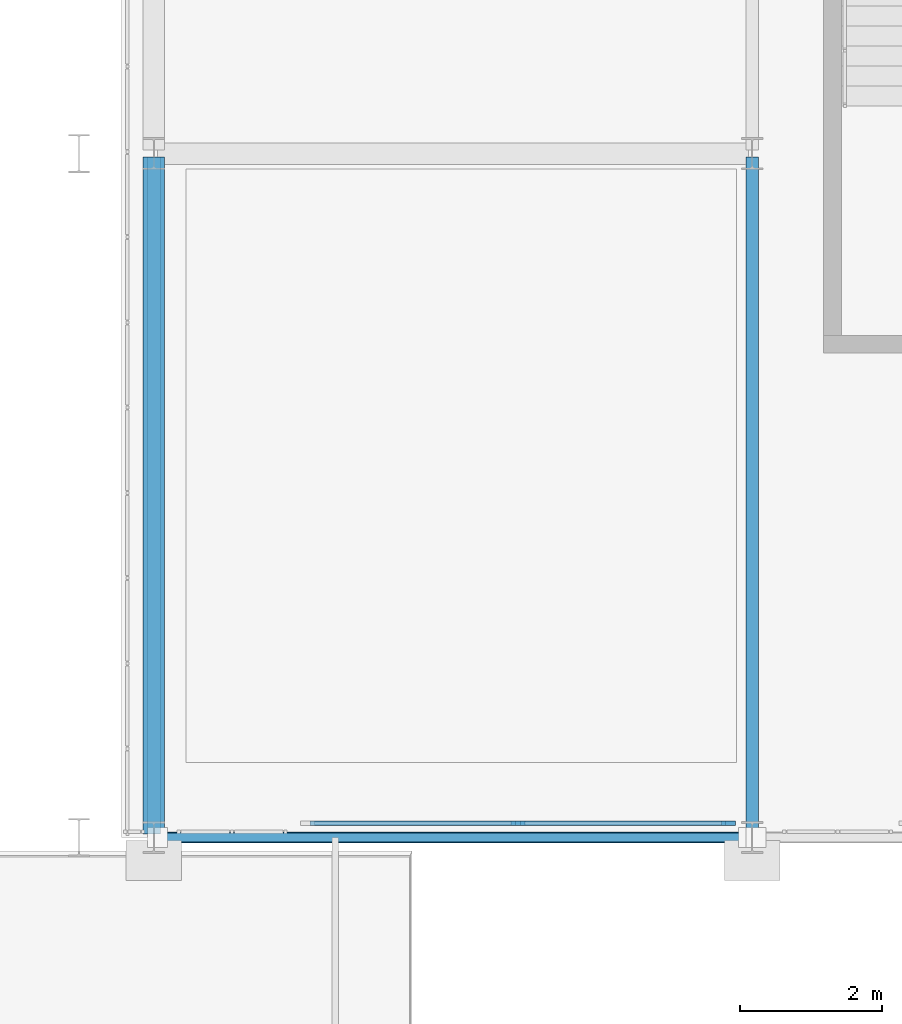
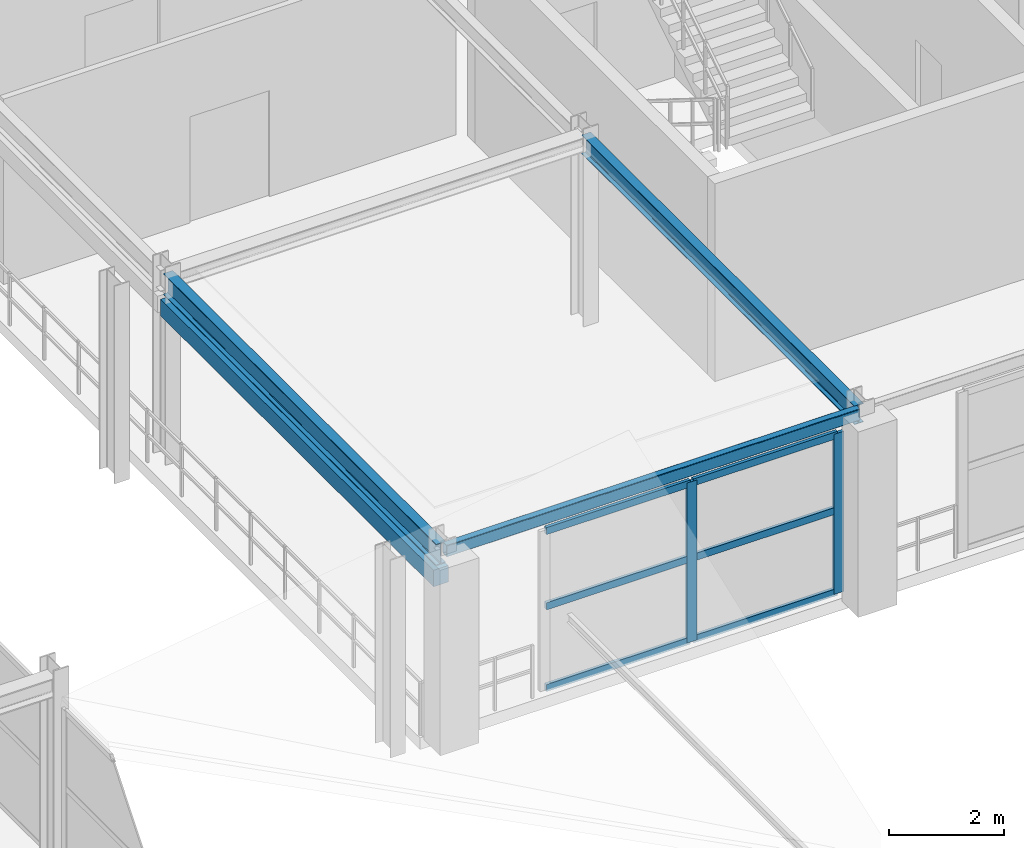
# One storey, part 24 of 81: 8 members, 4 beams, 1 element without a shape of its own.
"""IFC4 building model written with IfcOpenShell, lengths in metres."""

from ifc_helpers import new_model, si_unit, direction, frame, origin, origin_2d, place, context, subcontext, project, spatial, rectangle, hollow_rectangle, i_section, extrude, material, layer, layer_set, material_profile, profile_set, type_object, element, aggregate, save


model = new_model("IFC4")

# Units and contexts
model_context = context("Model", 3, precision=1e-05, world=origin(), true_north=direction((0.0, 1.0)))
body_context = subcontext(model_context, "Body", "Model", "MODEL_VIEW")
ifc_project = project(units=[si_unit("LENGTHUNIT", "METRE"), si_unit("AREAUNIT", "SQUARE_METRE"), si_unit("VOLUMEUNIT", "CUBIC_METRE"), si_unit("PLANEANGLEUNIT", "RADIAN"), si_unit("MASSUNIT", "GRAM", prefix="KILO")], contexts=[model_context])

# Site, building, storey
site_placement = place(None, origin())
site = spatial("IfcSite", under=ifc_project, at=site_placement, CompositionType="ELEMENT")
building_placement = place(site_placement, origin())
building = spatial("IfcBuilding", under=site, at=building_placement, Name="Myrtia Square Station", CompositionType="ELEMENT")
storey_placement = place(building_placement, frame((0.0, 0.0, 10.800048828125)))
storey = spatial("IfcBuildingStorey", under=building, at=storey_placement, Name="L02", CompositionType="ELEMENT", Elevation=10.800048828125)

# Beams
ifc_material_1 = material(Name="Steel S355", Category="steel")
ifc_material_profile_1 = material_profile(ifc_material_1, i_section(OverallWidth=0.179931640625, OverallDepth=0.39990234375, WebThickness=0.008544921875, FlangeThickness=0.013427734375, FilletRadius=0.02099609375, at=origin_2d()), Name="IPE 400")
ifc_profile_set_1 = profile_set([ifc_material_profile_1], Name="Steel S355")
beam_type_1 = type_object("IfcBeamType", Name="BM-IPE400", PredefinedType="BEAM", material=ifc_profile_set_1)
beam_1_placement = place(storey_placement, frame((126.0, 86.449951171875, 3.7548828125), z_axis=(0.0, 1.0, 0.0), x_axis=(-1.0, 0.0, 0.0)))
element("IfcBeam", 1, at=beam_1_placement, inside=storey, type_object=beam_type_1, Name="Structural girder BMY-L02-0776", PredefinedType="BEAM", context=body_context, shape_type="SweptSolid", body=[
    extrude(i_section(OverallWidth=0.179931640625, OverallDepth=0.39990234375, WebThickness=0.008544921875, FlangeThickness=0.013427734375, FilletRadius=0.02099609375, at=origin_2d()), origin(), (0.0, 0.0, 1.0), 9.5),
])
ifc_material_profile_2 = material_profile(ifc_material_1, i_section(OverallWidth=0.18994140625, OverallDepth=0.449951171875, WebThickness=0.009521484375, FlangeThickness=0.0146484375, FilletRadius=0.02099609375, at=origin_2d()), Name="IPE 450")
ifc_profile_set_2 = profile_set([ifc_material_profile_2], Name="Steel S355")
beam_type_2 = type_object("IfcBeamType", Name="BM-IPE450", PredefinedType="BEAM", material=ifc_profile_set_2)
beam_2_placement = place(storey_placement, frame((117.60009765625, 86.449951171875, 3.72998046875), z_axis=(0.0, 1.0, 0.0), x_axis=(-1.0, 0.0, 0.0)))
element("IfcBeam", 2, at=beam_2_placement, inside=storey, type_object=beam_type_2, Name="Structural girder BMY-L02-0772", PredefinedType="BEAM", context=body_context, shape_type="SweptSolid", body=[
    extrude(i_section(OverallWidth=0.18994140625, OverallDepth=0.449951171875, WebThickness=0.009521484375, FlangeThickness=0.0146484375, FilletRadius=0.02099609375, at=origin_2d()), origin(), (0.0, 0.0, 1.0), 9.5),
])

# Curtain wall, members
ifc_material_2 = material(Name="Dark bronze anodised aluminium", Category="aluminium")
ifc_layer = layer(ifc_material_2, 0.159912109375, Name="Dark bronze anodised aluminium")
ifc_layer_set = layer_set([ifc_layer], Name="Dark bronze anodised aluminium")
curtain_wall_type = type_object("IfcCurtainWallType", Name="CW-TYPE-38-598x340", PredefinedType="USERDEFINED", material=ifc_layer_set)
curtain_wall_placement = place(storey_placement, origin())
curtain_wall = element("IfcCurtainWall", 3, at=curtain_wall_placement, inside=storey, type_object=curtain_wall_type, Name="Concourse curtain wall CW-L02-117", ObjectType="CONCOURSE CURTAIN WALL", PredefinedType="USERDEFINED")
ifc_material_profile_3 = material_profile(ifc_material_2, rectangle(XDim=0.06494140625, YDim=0.199951171875, at=origin_2d()), Name="ALU-M 65x200")
ifc_profile_set_3 = profile_set([ifc_material_profile_3], Name="Dark bronze anodised aluminium")
member_type_1 = type_object("IfcMemberType", Name="CWM-65x200", PredefinedType="MULLION", material=ifc_profile_set_3)
member_1_placement = place(storey_placement, frame((122.71240234375, 86.60009765625, 0.0), z_axis=(0.0, 0.0, 1.0), x_axis=(0.0, 1.0, 0.0)))
member_1 = element("IfcMember", 4, at=member_1_placement, type_object=member_type_1, Name="CW-117 mullion 2", PredefinedType="MULLION", context=body_context, shape_type="SweptSolid", body=[
    extrude(rectangle(XDim=0.06494140625, YDim=0.199951171875, at=origin_2d()), origin(), (0.0, 0.0, 1.0), 3.39990234375),
])
member_2_placement = place(storey_placement, frame((125.66748046875, 86.60009765625, 0.0), z_axis=(0.0, 0.0, 1.0), x_axis=(0.0, 1.0, 0.0)))
member_2 = element("IfcMember", 5, at=member_2_placement, type_object=member_type_1, Name="CW-117 mullion 3", PredefinedType="MULLION", context=body_context, shape_type="SweptSolid", body=[
    extrude(rectangle(XDim=0.06494140625, YDim=0.199951171875, at=origin_2d()), origin(), (0.0, 0.0, 1.0), 3.39990234375),
])
ifc_material_profile_4 = material_profile(ifc_material_2, rectangle(XDim=0.06494140625, YDim=0.14990234375, at=origin_2d()), Name="ALU-T 65x150")
ifc_profile_set_4 = profile_set([ifc_material_profile_4], Name="Dark bronze anodised aluminium")
member_type_2 = type_object("IfcMemberType", Name="CWT-65x150", PredefinedType="USERDEFINED", material=ifc_profile_set_4)
member_3_placement = place(storey_placement, frame((119.7900390625, 86.60009765625, 0.032470703125), z_axis=(1.0, 0.0, 0.0), x_axis=(0.0, 1.0, 0.0)))
member_3 = element("IfcMember", 6, at=member_3_placement, type_object=member_type_2, Name="CW-117 transom 1.1", ObjectType="TRANSOM", PredefinedType="USERDEFINED", context=body_context, shape_type="SweptSolid", body=[
    extrude(rectangle(XDim=0.06494140625, YDim=0.14990234375, at=origin_2d()), origin(), (0.0, 0.0, 1.0), 2.889892578125),
])
member_4_placement = place(storey_placement, frame((119.7900390625, 86.60009765625, 1.76806640625), z_axis=(1.0, 0.0, 0.0), x_axis=(0.0, 1.0, 0.0)))
member_4 = element("IfcMember", 7, at=member_4_placement, type_object=member_type_2, Name="CW-117 transom 1.2", ObjectType="TRANSOM", PredefinedType="USERDEFINED", context=body_context, shape_type="SweptSolid", body=[
    extrude(rectangle(XDim=0.06494140625, YDim=0.14990234375, at=origin_2d()), origin(), (0.0, 0.0, 1.0), 2.889892578125),
])
member_5_placement = place(storey_placement, frame((119.7900390625, 86.60009765625, 3.367431640625), z_axis=(1.0, 0.0, 0.0), x_axis=(0.0, 1.0, 0.0)))
member_5 = element("IfcMember", 8, at=member_5_placement, type_object=member_type_2, Name="CW-117 transom 1.3", ObjectType="TRANSOM", PredefinedType="USERDEFINED", context=body_context, shape_type="SweptSolid", body=[
    extrude(rectangle(XDim=0.06494140625, YDim=0.14990234375, at=origin_2d()), origin(), (0.0, 0.0, 1.0), 2.889892578125),
])
member_6_placement = place(storey_placement, frame((122.7451171875, 86.60009765625, 0.032470703125), z_axis=(1.0, 0.0, 0.0), x_axis=(0.0, 1.0, 0.0)))
member_6 = element("IfcMember", 9, at=member_6_placement, type_object=member_type_2, Name="CW-117 transom 2.1", ObjectType="TRANSOM", PredefinedType="USERDEFINED", context=body_context, shape_type="SweptSolid", body=[
    extrude(rectangle(XDim=0.06494140625, YDim=0.14990234375, at=origin_2d()), origin(), (0.0, 0.0, 1.0), 2.889892578125),
])
member_7_placement = place(storey_placement, frame((122.7451171875, 86.60009765625, 1.76806640625), z_axis=(1.0, 0.0, 0.0), x_axis=(0.0, 1.0, 0.0)))
member_7 = element("IfcMember", 10, at=member_7_placement, type_object=member_type_2, Name="CW-117 transom 2.2", ObjectType="TRANSOM", PredefinedType="USERDEFINED", context=body_context, shape_type="SweptSolid", body=[
    extrude(rectangle(XDim=0.06494140625, YDim=0.14990234375, at=origin_2d()), origin(), (0.0, 0.0, 1.0), 2.889892578125),
])
member_8_placement = place(storey_placement, frame((122.7451171875, 86.60009765625, 3.367431640625), z_axis=(1.0, 0.0, 0.0), x_axis=(0.0, 1.0, 0.0)))
member_8 = element("IfcMember", 11, at=member_8_placement, type_object=member_type_2, Name="CW-117 transom 2.3", ObjectType="TRANSOM", PredefinedType="USERDEFINED", context=body_context, shape_type="SweptSolid", body=[
    extrude(rectangle(XDim=0.06494140625, YDim=0.14990234375, at=origin_2d()), origin(), (0.0, 0.0, 1.0), 2.889892578125),
])
aggregate(curtain_wall, [member_1, member_2, member_3, member_4, member_5, member_6, member_7, member_8])

# Beams
ifc_material_3 = material(Name="Concrete C35/45", Category="concrete")
ifc_material_profile_5 = material_profile(ifc_material_3, rectangle(XDim=0.300048828125, YDim=0.35009765625, at=origin_2d()), Name="LNT 300x350")
ifc_profile_set_5 = profile_set([ifc_material_profile_5], Name="Concrete C35/45")
beam_type_3 = type_object("IfcBeamType", Name="LNT-RC300x350", PredefinedType="LINTEL", material=ifc_profile_set_5)
beam_3_placement = place(storey_placement, frame((117.60009765625, 86.449951171875, 3.25), z_axis=(0.0, 1.0, 0.0), x_axis=(-1.0, 0.0, 0.0)))
element("IfcBeam", 12, at=beam_3_placement, inside=storey, type_object=beam_type_3, Name="Reinforced concrete opening lintel L02-11", PredefinedType="LINTEL", context=body_context, shape_type="SweptSolid", body=[
    extrude(rectangle(XDim=0.300048828125, YDim=0.35009765625, at=origin_2d()), origin(), (0.0, 0.0, 1.0), 9.5),
])
ifc_material_profile_6 = material_profile(ifc_material_1, hollow_rectangle(XDim=0.14990234375, YDim=0.25, WallThickness=0.012451171875, InnerFilletRadius=0.012451171875, OuterFilletRadius=0.02490234375, at=origin_2d()), Name="RHS 250x150x12.5")
ifc_profile_set_6 = profile_set([ifc_material_profile_6], Name="Steel S355")
beam_type_4 = type_object("IfcBeamType", Name="SPN-RHS250", PredefinedType="SPANDREL", material=ifc_profile_set_6)
beam_4_placement = place(storey_placement, frame((117.64990234375, 86.39990234375, 3.829833984375), z_axis=(1.0, 0.0, 0.0), x_axis=(0.0, 1.0, 0.0)))
element("IfcBeam", 13, at=beam_4_placement, inside=storey, type_object=beam_type_4, Name="Structural girder SPN-L02-0209", PredefinedType="SPANDREL", context=body_context, shape_type="SweptSolid", body=[
    extrude(hollow_rectangle(XDim=0.14990234375, YDim=0.25, WallThickness=0.012451171875, InnerFilletRadius=0.012451171875, OuterFilletRadius=0.02490234375, at=origin_2d()), origin(), (0.0, 0.0, 1.0), 8.300048828125),
])

save(model, "model.ifc")
